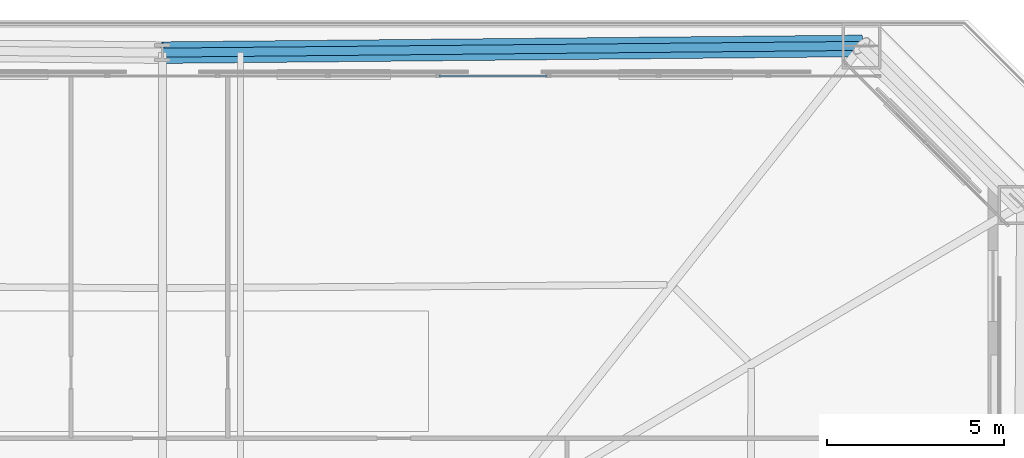
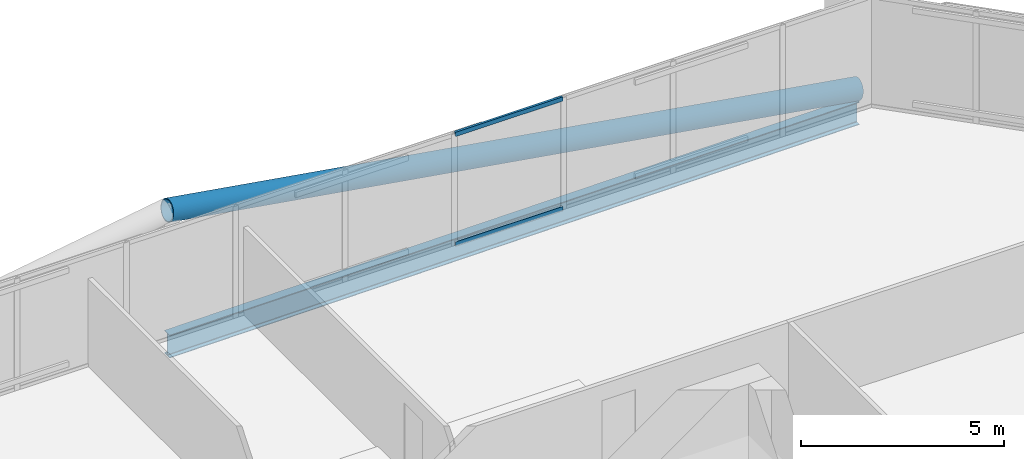
# One storey, part 24 of 34: 3 members, 1 beam, 1 element without a shape of its own.
"""IFC4 building model written with IfcOpenShell, lengths in metres."""

from ifc_helpers import new_model, si_unit, direction, frame, origin, origin_2d, place, context, subcontext, project, spatial, hollow_rectangle, hollow_circle, i_section, extrude, material, layer, layer_set, material_profile, profile_set, type_object, element, aggregate, save


model = new_model("IFC4")

# Units and contexts
model_context = context("Model", 3, precision=1e-05, world=origin(), true_north=direction((0.0, 1.0)))
body_context = subcontext(model_context, "Body", "Model", "MODEL_VIEW")
ifc_project = project(units=[si_unit("LENGTHUNIT", "METRE"), si_unit("AREAUNIT", "SQUARE_METRE"), si_unit("VOLUMEUNIT", "CUBIC_METRE"), si_unit("PLANEANGLEUNIT", "RADIAN"), si_unit("MASSUNIT", "GRAM", prefix="KILO")], contexts=[model_context])

# Site, building, storey
site_placement = place(None, origin())
site = spatial("IfcSite", under=ifc_project, at=site_placement, CompositionType="ELEMENT")
building_placement = place(site_placement, origin())
building = spatial("IfcBuilding", under=site, at=building_placement, Name="Caelvoria Tower", CompositionType="ELEMENT")
storey_placement = place(building_placement, frame((0.0, 0.0, 28.0)))
storey = spatial("IfcBuildingStorey", under=building, at=storey_placement, Name="L06", CompositionType="ELEMENT", Elevation=28.0)

# Curtain wall, members
ifc_material_1 = material(Name="Anodised Bronze Aluminium and Low-E Glass", Category="aluminium")
ifc_layer = layer(ifc_material_1, 0.18505859375, Name="Anodised Bronze Aluminium and Low-E Glass")
ifc_layer_set = layer_set([ifc_layer], Name="CW System 2 Lower Tower Bronze Unitised Facade - Anodised Bronze Aluminium and Low-E Glass")
curtain_wall_type = type_object("IfcCurtainWallType", Name="CW System 2 Lower Tower Bronze Unitised Facade", PredefinedType="NOTDEFINED", material=ifc_layer_set)
curtain_wall_placement = place(storey_placement, origin())
curtain_wall = element("IfcCurtainWall", 1, at=curtain_wall_placement, inside=storey, type_object=curtain_wall_type, Name="CW-02 Curtain Wall L06-E4", PredefinedType="NOTDEFINED")
ifc_material_2 = material(Name="Anodised Bronze Architectural Aluminium", Category="aluminium")
ifc_material_profile_1 = material_profile(ifc_material_2, hollow_rectangle(XDim=0.06494140625, YDim=0.1298828125, WallThickness=0.00341796875, at=origin_2d()), Name="Anodised Bronze Architectural Aluminium")
ifc_profile_set_1 = profile_set([ifc_material_profile_1], Name="CW_TRAN_65X130 - Anodised Bronze Architectural Aluminium")
member_type_1 = type_object("IfcMemberType", Name="Curtain Wall Transom 65x130 Bronze Aluminium", PredefinedType="USERDEFINED", material=ifc_profile_set_1)
member_1_placement = place(storey_placement, frame((56.844482421875, 52.6201171875, 0.032470703125), z_axis=(-1.0, 0.0, 0.0), x_axis=(0.0, -1.0, 0.0)))
member_1 = element("IfcMember", 2, at=member_1_placement, type_object=member_type_1, Name="CW-02 transom 4.1", ObjectType="TRANSOM", PredefinedType="USERDEFINED", context=body_context, shape_type="SweptSolid", body=[
    extrude(hollow_rectangle(XDim=0.06494140625, YDim=0.1298828125, WallThickness=0.00341796875, at=origin_2d()), origin(), (0.0, 0.0, 1.0), 3.042724609375),
])
member_2_placement = place(storey_placement, frame((56.844482421875, 52.6201171875, 3.327392578125), z_axis=(-1.0, 0.0, 0.0), x_axis=(0.0, -1.0, 0.0)))
member_2 = element("IfcMember", 3, at=member_2_placement, type_object=member_type_1, Name="CW-02 transom 4.2", ObjectType="TRANSOM", PredefinedType="USERDEFINED", context=body_context, shape_type="SweptSolid", body=[
    extrude(hollow_rectangle(XDim=0.06494140625, YDim=0.1298828125, WallThickness=0.00341796875, at=origin_2d()), origin(), (0.0, 0.0, 1.0), 3.042724609375),
])
aggregate(curtain_wall, [member_1, member_2])

# Member
ifc_material_3 = material(Name="Structural Steel ASTM A572 Gr.50", Category="steel")
ifc_material_profile_2 = material_profile(ifc_material_3, hollow_circle(Radius=0.304931640625, WallThickness=0.02490234375, at=origin_2d()), Name="Structural Steel ASTM A572 Gr.50")
ifc_profile_set_2 = profile_set([ifc_material_profile_2], Name="CHS610X25 - Structural Steel ASTM A572 Gr.50")
member_type_2 = type_object("IfcMemberType", Name="Lower Perimeter Mega Brace CHS610X25", PredefinedType="BRACE", material=ifc_profile_set_2)
member_3_placement = place(storey_placement, frame((65.712890625, 53.469482421875, 0.0), z_axis=(-0.985737846639, -0.009473553069, 0.168021276916), x_axis=(0.009610177415, -0.999953821179, 0.0)))
element("IfcMember", 4, at=member_3_placement, inside=storey, type_object=member_type_2, Name="Perimeter Cardinal Mega Brace L06 NA", PredefinedType="BRACE", context=body_context, shape_type="SweptSolid", body=[
    extrude(hollow_circle(Radius=0.304931640625, WallThickness=0.02490234375, at=origin_2d()), origin(), (0.0, 0.0, 1.0), 19.998046875),
])

# Beam
ifc_material_4 = material(Name="Structural Steel ASTM A992 Gr.50", Category="steel")
ifc_material_profile_3 = material_profile(ifc_material_4, i_section(OverallWidth=0.25390625, OverallDepth=0.68798828125, WebThickness=0.01318359375, FlangeThickness=0.02099609375, FilletRadius=0.01904296875, at=origin_2d()), Name="Structural Steel ASTM A992 Gr.50")
ifc_profile_set_3 = profile_set([ifc_material_profile_3], Name="W690X152 - Structural Steel ASTM A992 Gr.50")
beam_type = type_object("IfcBeamType", Name="Perimeter Spandrel Girder W690X152", PredefinedType="BEAM", material=ifc_profile_set_3)
beam_placement = place(storey_placement, frame((65.712890625, 53.469482421875, -0.6640625), z_axis=(-0.999953821179, -0.009610177415, 0.0), x_axis=(0.009610177415, -0.999953821179, 0.0)))
element("IfcBeam", 5, at=beam_placement, inside=storey, type_object=beam_type, Name="Perimeter Spandrel Girder L06-06", PredefinedType="BEAM", context=body_context, shape_type="SweptSolid", body=[
    extrude(i_section(OverallWidth=0.25390625, OverallDepth=0.68798828125, WebThickness=0.01318359375, FlangeThickness=0.02099609375, FilletRadius=0.01904296875, at=origin_2d()), origin(), (0.0, 0.0, 1.0), 19.7138671875),
])

save(model, "model.ifc")
